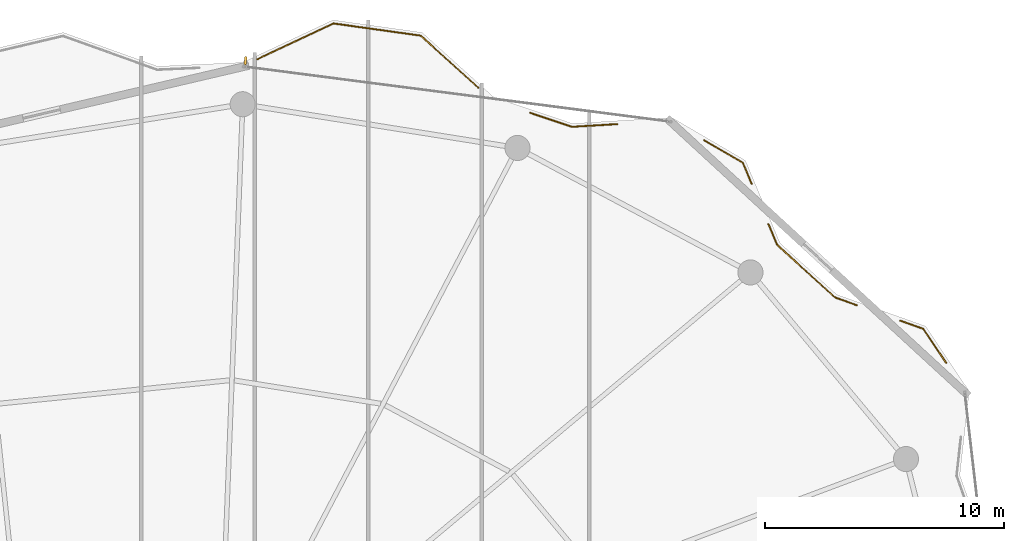
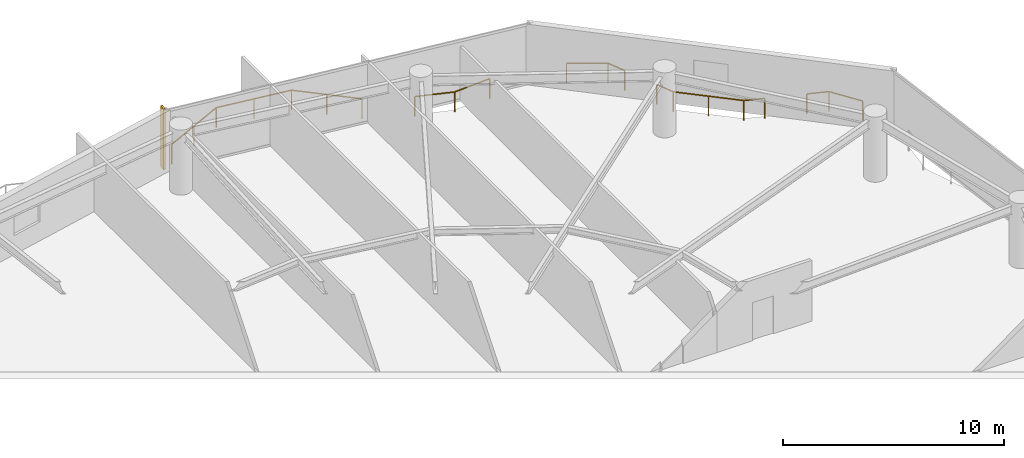
# One storey, part 31 of 31: 5 railings, 1 shading device.
"""IFC4 building model written with IfcOpenShell, lengths in metres."""

from ifc_helpers import new_model, si_unit, direction, frame, origin, origin_2d, place, context, subcontext, project, spatial, rectangle, extrude, material, type_object, element, save


model = new_model("IFC4")

# Units and contexts
model_context = context("Model", 3, precision=1e-05, world=origin(), true_north=direction((0.0, 1.0)))
body_context = subcontext(model_context, "Body", "Model", "MODEL_VIEW")
ifc_project = project(units=[si_unit("LENGTHUNIT", "METRE"), si_unit("AREAUNIT", "SQUARE_METRE"), si_unit("VOLUMEUNIT", "CUBIC_METRE"), si_unit("PLANEANGLEUNIT", "RADIAN"), si_unit("MASSUNIT", "GRAM", prefix="KILO")], contexts=[model_context])

# Site, building, storey
site_placement = place(None, origin())
site = spatial("IfcSite", under=ifc_project, at=site_placement, CompositionType="ELEMENT")
building_placement = place(site_placement, origin())
building = spatial("IfcBuilding", under=site, at=building_placement, Name="Kazevale Care Tower and Concert Hall", CompositionType="ELEMENT")
storey_placement = place(building_placement, frame((0.0, 0.0, 210.0)))
storey = spatial("IfcBuildingStorey", under=building, at=storey_placement, Name="L55", CompositionType="ELEMENT", Elevation=210.0)

# Railings
ifc_material_1 = material(Name="Anodised Bronze Aluminium and Laminated Glass", Category="aluminium")
railing_type = type_object("IfcRailingType", Name="Balcony and Terrace Balustrade 1120", PredefinedType="BALUSTRADE", material=ifc_material_1)
railing_1_placement = place(storey_placement, frame((45.610107421875, 63.931884765625, 0.0)))
element("IfcRailing", 1, at=railing_1_placement, inside=storey, type_object=railing_type, Name="rail:L55:perim:6", PredefinedType="BALUSTRADE", context=body_context, shape_type="SweptSolid", body=[
    extrude(rectangle(XDim=0.048095703125, YDim=0.048095703125, at=origin_2d()), frame((0.0, 0.0, 1.09619140625), z_axis=(0.905100997077, 0.42519664285, 0.0), x_axis=(-0.42519664285, 0.905100997077, 0.0)), (0.0, 0.0, 1.0), 3.525390625),
    extrude(rectangle(XDim=0.048095703125, YDim=0.048095703125, at=origin_2d()), frame((3.19091796875, 1.4990234375, 1.09619140625), z_axis=(0.990362854901, -0.138496987809, 0.0), x_axis=(0.138496987809, 0.990362854901, 0.0)), (0.0, 0.0, 1.0), 3.682373046875),
    extrude(rectangle(XDim=0.048095703125, YDim=0.048095703125, at=origin_2d()), frame((6.837890625, 0.989013671875, 1.09619140625), z_axis=(0.74237767764, -0.669981629407, 0.0), x_axis=(0.669981629407, 0.74237767764, 0.0)), (0.0, 0.0, 1.0), 3.260986328125),
    extrude(rectangle(XDim=0.0419921875, YDim=0.0419921875, at=origin_2d()), origin(), (0.0, 0.0, 1.0), 1.072021484375),
    extrude(rectangle(XDim=0.0419921875, YDim=0.0419921875, at=origin_2d()), frame((1.595458984375, 0.74951171875, 0.0)), (0.0, 0.0, 1.0), 1.072021484375),
    extrude(rectangle(XDim=0.0419921875, YDim=0.0419921875, at=origin_2d()), frame((3.19091796875, 1.4990234375, 0.0)), (0.0, 0.0, 1.0), 1.072021484375),
    extrude(rectangle(XDim=0.0419921875, YDim=0.0419921875, at=origin_2d()), frame((5.014404296875, 1.244140625, 0.0)), (0.0, 0.0, 1.0), 1.072021484375),
    extrude(rectangle(XDim=0.0419921875, YDim=0.0419921875, at=origin_2d()), frame((6.837890625, 0.989013671875, 0.0)), (0.0, 0.0, 1.0), 1.072021484375),
    extrude(rectangle(XDim=0.0419921875, YDim=0.0419921875, at=origin_2d()), frame((8.04833984375, -0.103515625, 0.0)), (0.0, 0.0, 1.0), 1.072021484375),
    extrude(rectangle(XDim=0.0419921875, YDim=0.0419921875, at=origin_2d()), frame((9.2587890625, -1.19580078125, 0.0)), (0.0, 0.0, 1.0), 1.072021484375),
])
railing_2_placement = place(storey_placement, frame((57.032958984375, 61.68994140625, 0.0)))
element("IfcRailing", 2, at=railing_2_placement, inside=storey, type_object=railing_type, Name="rail:L55:perim:7", PredefinedType="BALUSTRADE", context=body_context, shape_type="SweptSolid", body=[
    extrude(rectangle(XDim=0.048095703125, YDim=0.048095703125, at=origin_2d()), frame((0.0, 0.0, 1.09619140625), z_axis=(0.948045105832, -0.318135941554, 0.0), x_axis=(0.318135941554, 0.948045105832, 0.0)), (0.0, 0.0, 1.0), 1.841796875),
    extrude(rectangle(XDim=0.048095703125, YDim=0.048095703125, at=origin_2d()), frame((1.74609375, -0.5859375, 1.09619140625), z_axis=(0.998181354811, 0.060282525723, 0.0), x_axis=(-0.060282525723, 0.998181354811, 0.0)), (0.0, 0.0, 1.0), 1.907470703125),
    extrude(rectangle(XDim=0.0419921875, YDim=0.0419921875, at=origin_2d()), origin(), (0.0, 0.0, 1.0), 1.072021484375),
    extrude(rectangle(XDim=0.0419921875, YDim=0.0419921875, at=origin_2d()), frame((1.74609375, -0.5859375, 0.0)), (0.0, 0.0, 1.0), 1.072021484375),
    extrude(rectangle(XDim=0.0419921875, YDim=0.0419921875, at=origin_2d()), frame((3.650146484375, -0.470947265625, 0.0)), (0.0, 0.0, 1.0), 1.072021484375),
])
railing_3_placement = place(storey_placement, frame((64.31298828125, 60.54296875, 0.0)))
element("IfcRailing", 3, at=railing_3_placement, inside=storey, type_object=railing_type, Name="rail:L55:perim:8", PredefinedType="BALUSTRADE", context=body_context, shape_type="SweptSolid", body=[
    extrude(rectangle(XDim=0.048095703125, YDim=0.048095703125, at=origin_2d()), frame((0.0, 0.0, 1.09619140625), z_axis=(0.863897008105, -0.503668501483, 0.0), x_axis=(0.503668501483, 0.863897008105, 0.0)), (0.0, 0.0, 1.0), 1.8740234375),
    extrude(rectangle(XDim=0.048095703125, YDim=0.048095703125, at=origin_2d()), frame((1.618896484375, -0.94384765625, 1.09619140625), z_axis=(0.384958845263, -0.922933739471, 0.0), x_axis=(0.922933739471, 0.384958845263, 0.0)), (0.0, 0.0, 1.0), 0.958984375),
    extrude(rectangle(XDim=0.0419921875, YDim=0.0419921875, at=origin_2d()), origin(), (0.0, 0.0, 1.0), 1.072021484375),
    extrude(rectangle(XDim=0.0419921875, YDim=0.0419921875, at=origin_2d()), frame((1.618896484375, -0.94384765625, 0.0)), (0.0, 0.0, 1.0), 1.072021484375),
    extrude(rectangle(XDim=0.0419921875, YDim=0.0419921875, at=origin_2d()), frame((1.988037109375, -1.828857421875, 0.0)), (0.0, 0.0, 1.0), 1.072021484375),
])
railing_4_placement = place(storey_placement, frame((67.0029296875, 57.037109375, 0.0)))
element("IfcRailing", 4, at=railing_4_placement, inside=storey, type_object=railing_type, Name="rail:L55:perim:9", PredefinedType="BALUSTRADE", context=body_context, shape_type="SweptSolid", body=[
    extrude(rectangle(XDim=0.048095703125, YDim=0.048095703125, at=origin_2d()), frame((0.0, 0.0, 1.09619140625), z_axis=(0.385400252226, -0.922749503161, 0.0), x_axis=(0.922749503161, 0.385400252226, 0.0)), (0.0, 0.0, 1.0), 0.949462890625),
    extrude(rectangle(XDim=0.048095703125, YDim=0.048095703125, at=origin_2d()), frame((0.365966796875, -0.876220703125, 1.09619140625), z_axis=(0.740453598396, -0.672107482939, 0.0), x_axis=(0.672107482939, 0.740453598396, 0.0)), (0.0, 0.0, 1.0), 3.2685546875),
    extrude(rectangle(XDim=0.048095703125, YDim=0.048095703125, at=origin_2d()), frame((2.7861328125, -3.072998046875, 1.09619140625), z_axis=(0.941931266787, -0.33580573052, 0.0), x_axis=(0.33580573052, 0.941931266787, 0.0)), (0.0, 0.0, 1.0), 0.9619140625),
    extrude(rectangle(XDim=0.0419921875, YDim=0.0419921875, at=origin_2d()), origin(), (0.0, 0.0, 1.0), 1.072021484375),
    extrude(rectangle(XDim=0.0419921875, YDim=0.0419921875, at=origin_2d()), frame((0.365966796875, -0.876220703125, 0.0)), (0.0, 0.0, 1.0), 1.072021484375),
    extrude(rectangle(XDim=0.0419921875, YDim=0.0419921875, at=origin_2d()), frame((1.576171875, -1.974609375, 0.0)), (0.0, 0.0, 1.0), 1.072021484375),
    extrude(rectangle(XDim=0.0419921875, YDim=0.0419921875, at=origin_2d()), frame((2.7861328125, -3.072998046875, 0.0)), (0.0, 0.0, 1.0), 1.072021484375),
    extrude(rectangle(XDim=0.0419921875, YDim=0.0419921875, at=origin_2d()), frame((3.692138671875, -3.39599609375, 0.0)), (0.0, 0.0, 1.0), 1.072021484375),
])
railing_5_placement = place(storey_placement, frame((72.527099609375, 52.989013671875, 0.0)))
element("IfcRailing", 5, at=railing_5_placement, inside=storey, type_object=railing_type, Name="rail:L55:perim:10", PredefinedType="BALUSTRADE", context=body_context, shape_type="SweptSolid", body=[
    extrude(rectangle(XDim=0.048095703125, YDim=0.048095703125, at=origin_2d()), frame((0.0, 0.0, 1.09619140625), z_axis=(0.941882879888, -0.335941424319, 0.0), x_axis=(0.335941424319, 0.941882879888, 0.0)), (0.0, 0.0, 1.0), 1.01806640625),
    extrude(rectangle(XDim=0.048095703125, YDim=0.048095703125, at=origin_2d()), frame((0.958984375, -0.342041015625, 1.09619140625), z_axis=(0.558028145129, -0.829822022631, 0.0), x_axis=(0.829822022631, 0.558028145129, 0.0)), (0.0, 0.0, 1.0), 1.70751953125),
    extrude(rectangle(XDim=0.0419921875, YDim=0.0419921875, at=origin_2d()), origin(), (0.0, 0.0, 1.0), 1.072021484375),
    extrude(rectangle(XDim=0.0419921875, YDim=0.0419921875, at=origin_2d()), frame((0.958984375, -0.342041015625, 0.0)), (0.0, 0.0, 1.0), 1.072021484375),
    extrude(rectangle(XDim=0.0419921875, YDim=0.0419921875, at=origin_2d()), frame((1.911865234375, -1.759033203125, 0.0)), (0.0, 0.0, 1.0), 1.072021484375),
])

# Shading device
ifc_material_2 = material(Name="Anodised Bronze Aluminium", Category="aluminium")
shading_device_type = type_object("IfcShadingDeviceType", Name="Waist Anodised Bronze-Stone Fin FIN-02", PredefinedType="USERDEFINED", material=ifc_material_2)
shading_device_placement = place(storey_placement, frame((45.116455078125, 63.870849609375, 0.0), z_axis=(0.0, 0.0, 1.0), x_axis=(0.128103248172, 0.991760837, 0.0)))
element("IfcShadingDevice", 6, at=shading_device_placement, inside=storey, type_object=shading_device_type, Name="cw:L55:f16:fin", ObjectType="FIN", PredefinedType="USERDEFINED", context=body_context, shape_type="SweptSolid", body=[
    extrude(rectangle(XDim=0.340087890625, YDim=0.10009765625, at=origin_2d()), origin(), (0.0, 0.0, 1.0), 3.360107421875),
])

save(model, "model.ifc")
